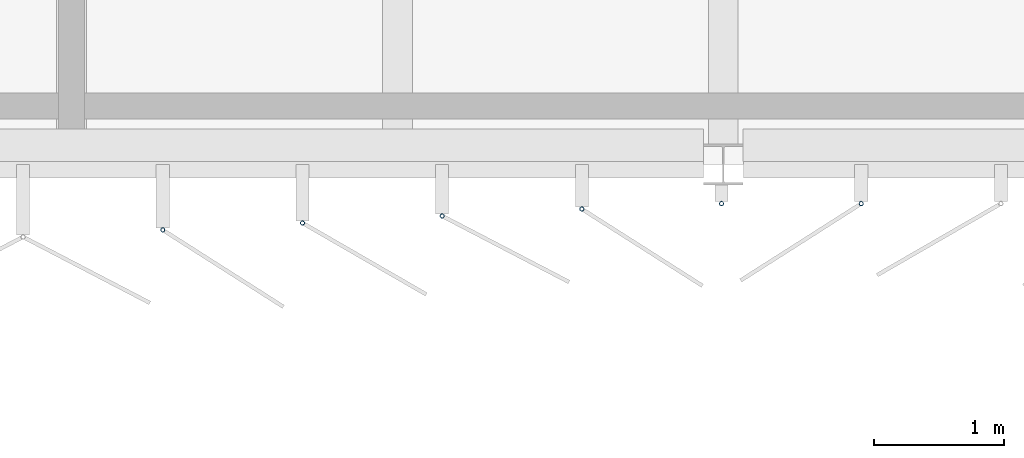
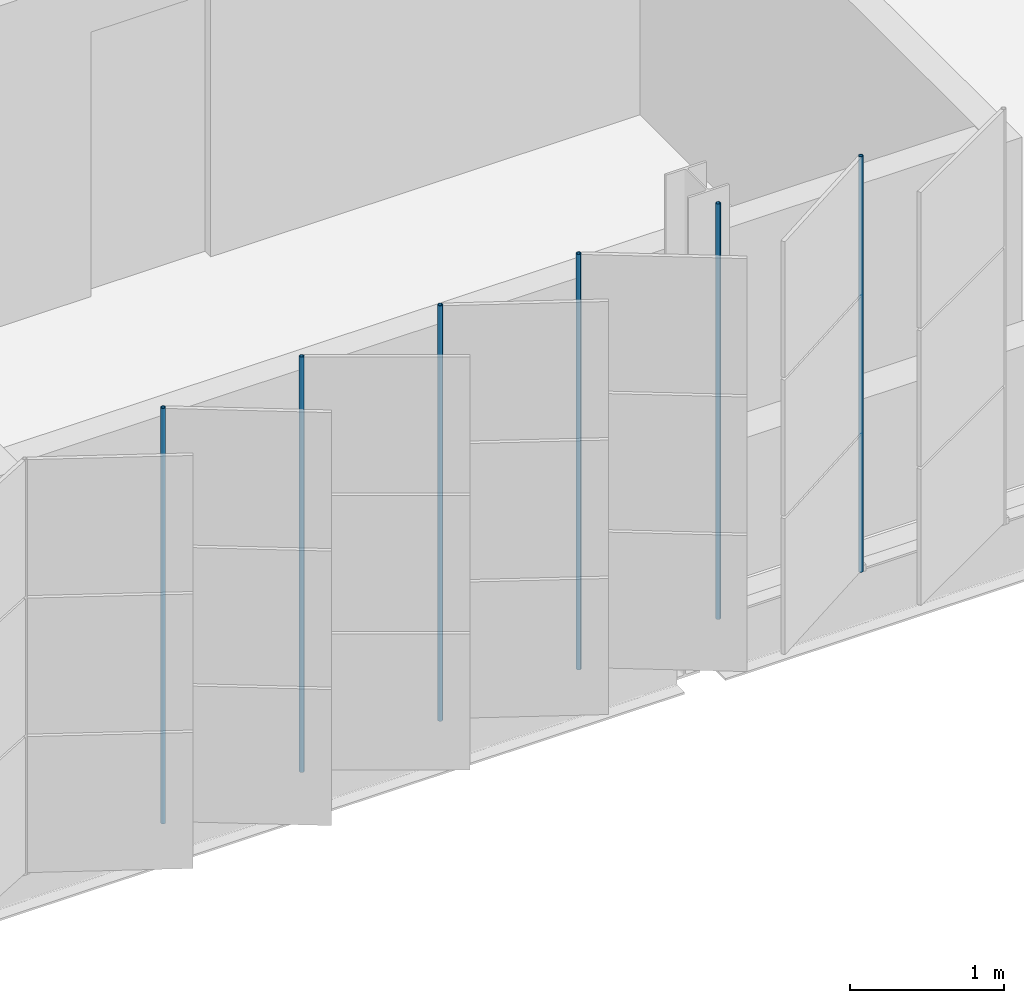
# One storey, part 88 of 214: 6 discrete accessories.
"""IFC4 building model written with IfcOpenShell, lengths in metres."""

from ifc_helpers import new_model, si_unit, direction, frame, origin, origin_2d, place, context, subcontext, project, spatial, hollow_circle, extrude, material, material_profile, profile_set, type_object, element, save


model = new_model("IFC4")

# Units and contexts
model_context = context("Model", 3, precision=1e-05, world=origin(), true_north=direction((0.0, 1.0)))
body_context = subcontext(model_context, "Body", "Model", "MODEL_VIEW")
ifc_project = project(units=[si_unit("LENGTHUNIT", "METRE"), si_unit("AREAUNIT", "SQUARE_METRE"), si_unit("VOLUMEUNIT", "CUBIC_METRE"), si_unit("PLANEANGLEUNIT", "RADIAN"), si_unit("MASSUNIT", "GRAM", prefix="KILO")], contexts=[model_context])

# Site, building, storey
site_placement = place(None, origin())
site = spatial("IfcSite", under=ifc_project, at=site_placement, CompositionType="ELEMENT")
building_placement = place(site_placement, origin())
building = spatial("IfcBuilding", under=site, at=building_placement, Name="Parallax Yard Mobility Hub", CompositionType="ELEMENT")
storey_placement = place(building_placement, frame((0.0, 0.0, 3.300048828125)))
storey = spatial("IfcBuildingStorey", under=building, at=storey_placement, Name="L01", CompositionType="ELEMENT", Elevation=3.300048828125)

# Discrete accessories
ifc_material = material(Name="Steel ASTM A500 Gr C, hot-dip galvanised", Category="steel")
ifc_material_profile = material_profile(ifc_material, hollow_circle(Radius=0.016845703125, WallThickness=0.003173828125, at=origin_2d()), Name="CHS 33.7x3.2")
ifc_profile_set = profile_set([ifc_material_profile], Name="Steel ASTM A500 Gr C, hot-dip galvanised")
discrete_accessory_type = type_object("IfcDiscreteAccessoryType", Name="Hinge post CHS 33.7x3.2", PredefinedType="BRACKET", material=ifc_profile_set)
for number, where, z_axis, x_axis, name in (
    (1, (40.7001953125, 111.998291015625, 0.0), (0.0, 0.0, 1.0), (1.0, 0.0, 0.0), "Hinge post bay 2.4 level L01"),
    (2, (41.771728515625, 112.0517578125, 0.0), (0.0, 0.0, 1.0), (1.0, 0.0, 0.0), "Hinge post bay 2.5 level L01"),
    (3, (42.84326171875, 112.10546875, 0.0), (0.0, 0.0, 1.0), (1.0, 0.0, 0.0), "Hinge post bay 2.6 level L01"),
    (4, (43.914794921875, 112.158935546875, 0.0), (0.0, 0.0, 1.0), (1.0, 0.0, 0.0), "Hinge post bay 2.7 level L01"),
    (5, (44.986328125, 112.199951171875, 0.0), (0.0, 0.0, 1.0), (1.0, 0.0, 0.0), "Hinge post bay 3.1 level L01"),
    (6, (46.057861328125, 112.199951171875, 0.0), (0.0, 0.0, 1.0), (1.0, 0.0, 0.0), "Hinge post bay 3.2 level L01"),
):
    element("IfcDiscreteAccessory", number, at=place(storey_placement, frame(where, z_axis=z_axis, x_axis=x_axis)), inside=storey, type_object=discrete_accessory_type, Name=name, PredefinedType="BRACKET", context=body_context, shape_type="SweptSolid", body=[
        extrude(hollow_circle(Radius=0.016845703125, WallThickness=0.003173828125, at=origin_2d()), origin(), (0.0, 0.0, 1.0), 3.300048828125),
    ])

save(model, "model.ifc")
